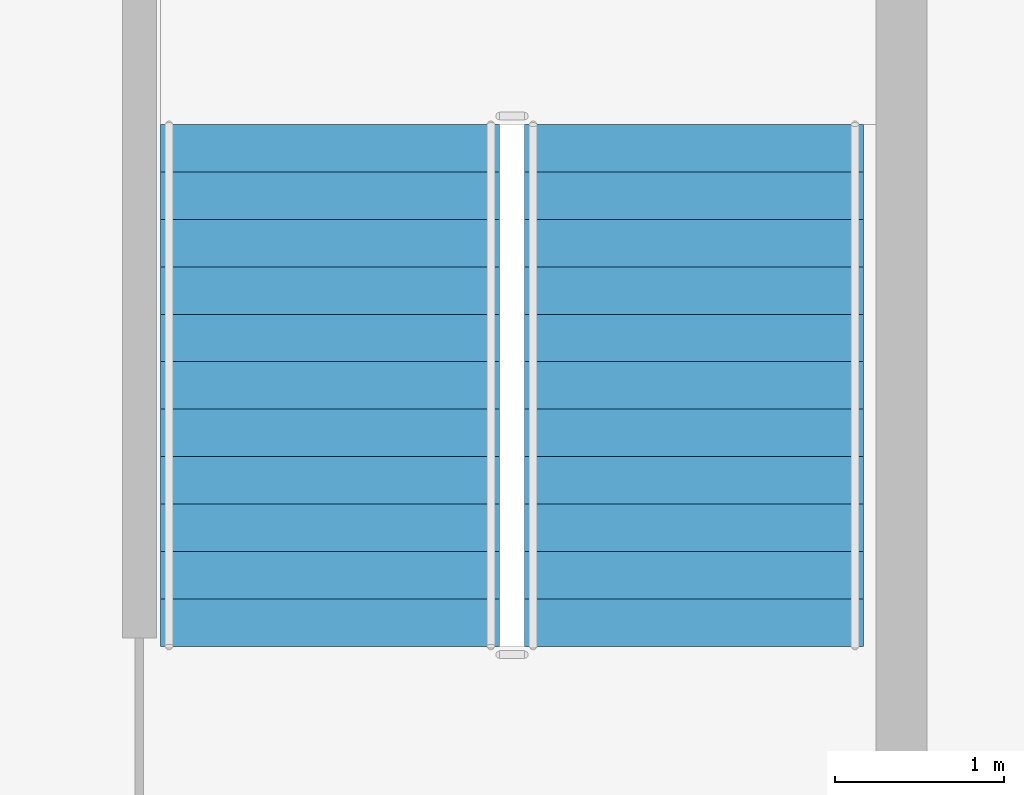
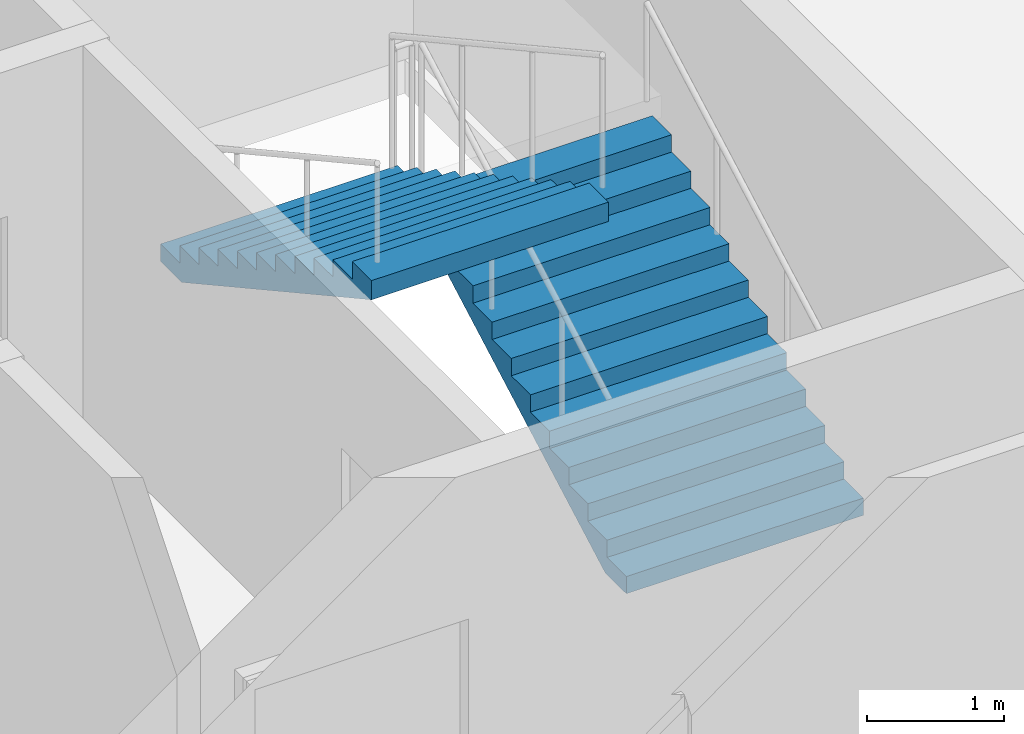
# One storey, part 8 of 11: 2 stair flights, 1 element without a shape of its own.
"""IFC4 building model written with IfcOpenShell, lengths in metres."""

import ifcopenshell
import ifcopenshell.guid

model = None  # the IFC model being written
_history = None  # IfcOwnerHistory: only IFC2X3 demands one
_inside = {}  # id of a spatial element -> (the spatial element, [elements in it])
_under = {}  # id of a project, library or spatial element -> (it, [spatial elements below it])
_declared = {}  # id of a project -> (the project, [libraries it declares])
_typed = {}  # id of a type object -> (the type object, [elements of that type])
_made_of = {}  # id of a material, layer set ... -> (it, [elements and type objects made of it])


def new_model(schema):
    """Start an empty IFC model of exactly this schema.

    Asked for "IFC4X3", IfcOpenShell would pick the latest addendum, in which some entities
    have other attributes; the version numbers below select the first issue.
    IFC2X3 requires an IfcOwnerHistory on every rooted entity: one is made here for all.
    """
    global model, _history
    if schema == "IFC4X3":
        model = ifcopenshell.file(schema_version=(4, 3, 0, 0))
    else:
        model = ifcopenshell.file(schema=schema)
    _inside.clear()
    _under.clear()
    _declared.clear()
    _typed.clear()
    _made_of.clear()
    _history = None
    if model.schema == "IFC2X3":
        org = make("IfcOrganization", Name="unknown")
        user = make(
            "IfcPersonAndOrganization",
            ThePerson=make("IfcPerson", FamilyName="unknown"),
            TheOrganization=org,
        )
        app = make(
            "IfcApplication",
            ApplicationDeveloper=org,
            Version="unknown",
            ApplicationFullName="unknown",
            ApplicationIdentifier="unknown",
        )
        _history = make(
            "IfcOwnerHistory",
            OwningUser=user,
            OwningApplication=app,
            ChangeAction="ADDED",
            CreationDate=0,
        )
    return model


def make(cls, **values):
    """One entity of the class cls with the attributes given. An attribute that is None is left unset."""
    return model.create_entity(
        cls, **{name: value for name, value in values.items() if value is not None}
    )


def rooted(cls, **values):
    """An entity with a GlobalId (a new one), such as an element, a storey or a relation."""
    return make(cls, GlobalId=ifcopenshell.guid.new(), OwnerHistory=_history, **values)


def si_unit(unit_type, name, prefix=None):
    """IfcSIUnit, for example si_unit("LENGTHUNIT", "METRE", prefix="MILLI")."""
    return make("IfcSIUnit", UnitType=unit_type, Prefix=prefix, Name=name)


def assignment(units):
    """IfcUnitAssignment: the units of a project."""
    return None if units is None else make("IfcUnitAssignment", Units=units)


def point(xyz):
    """IfcCartesianPoint."""
    return None if xyz is None else make("IfcCartesianPoint", Coordinates=xyz)


def direction(xyz):
    """IfcDirection."""
    return None if xyz is None else make("IfcDirection", DirectionRatios=xyz)


def frame(location, z_axis=None, x_axis=None):
    """IfcAxis2Placement3D, a coordinate frame: its origin and axes. An axis left out is left unset."""
    return make(
        "IfcAxis2Placement3D",
        Location=point(location),
        Axis=direction(z_axis),
        RefDirection=direction(x_axis),
    )


def origin():
    """The frame at (0, 0, 0) with its axes left unset."""
    return frame((0.0, 0.0, 0.0))


def place(relative_to, where):
    """IfcLocalPlacement: puts the frame where relative to a parent placement (None: the world)."""
    return make(
        "IfcLocalPlacement", PlacementRelTo=relative_to, RelativePlacement=where
    )


def context(
    kind, dimensions, precision=None, world=None, true_north=None, identifier=None
):
    """IfcGeometricRepresentationContext, for example the 3D "Model" context."""
    return make(
        "IfcGeometricRepresentationContext",
        ContextIdentifier=identifier,
        ContextType=kind,
        CoordinateSpaceDimension=dimensions,
        Precision=precision,
        WorldCoordinateSystem=world,
        TrueNorth=true_north,
    )


def subcontext(parent, identifier, kind, view, scale=None):
    """IfcGeometricRepresentationSubContext, for example "Body" below "Model"."""
    return make(
        "IfcGeometricRepresentationSubContext",
        ContextIdentifier=identifier,
        ContextType=kind,
        ParentContext=parent,
        TargetScale=scale,
        TargetView=view,
    )


def project(units=None, contexts=None):
    """IfcProject with its units and contexts."""
    return rooted(
        "IfcProject",
        Name="project",
        RepresentationContexts=contexts,
        UnitsInContext=assignment(units),
    )


def spatial(cls, under=None, at=None, **own):
    """A site, building, storey or space (cls), placed at a placement, below another one or the project."""
    s = rooted(cls, ObjectPlacement=at, **own)
    if under is not None:
        _under.setdefault(under.id(), (under, []))[1].append(s)
    return s


def point_list(points):
    """IfcCartesianPointList2D or 3D."""
    cls = (
        "IfcCartesianPointList2D" if len(points[0]) == 2 else "IfcCartesianPointList3D"
    )
    return make(cls, CoordList=points)


def polygons(points, faces, closed=None, point_numbers=None):
    """IfcPolygonalFaceSet: a face is its outer loop, then its inner loops; points numbered from 1."""
    made = []
    for loops in faces:
        if len(loops) == 1:
            made.append(make("IfcIndexedPolygonalFace", CoordIndex=loops[0]))
        else:
            made.append(
                make(
                    "IfcIndexedPolygonalFaceWithVoids",
                    CoordIndex=loops[0],
                    InnerCoordIndices=loops[1:],
                )
            )
    return make(
        "IfcPolygonalFaceSet",
        Coordinates=point_list(points),
        Closed=closed,
        Faces=made,
        PnIndex=point_numbers,
    )


def shape(context_of_items, identifier, shape_type, items):
    """IfcShapeRepresentation: the items that make up one representation, for example the "Body"."""
    return make(
        "IfcShapeRepresentation",
        ContextOfItems=context_of_items,
        RepresentationIdentifier=identifier,
        RepresentationType=shape_type,
        Items=items,
    )


def material(Name=None, Category=None):
    """IfcMaterial."""
    return make("IfcMaterial", Name=Name, Category=Category)


def made_of(thing, what):
    """Note that an element or type object is made of a material, layer set ...; save() writes the relation."""
    if what is not None:
        _made_of.setdefault(what.id(), (what, []))[1].append(thing)
    return thing


def type_object(cls, material=None, **own):
    """A type object (cls), such as IfcWallType, which elements share."""
    return made_of(rooted(cls, **own), material)


def element(
    cls,
    number,
    at=None,
    inside=None,
    cuts=None,
    type_object=None,
    material=None,
    context=None,
    identifier="Body",
    shape_type=None,
    held_by="IfcProductDefinitionShape",
    body=None,
    shapes=None,
    **own,
):
    """One element of the class cls, such as IfcWall. Its Tag is "e" and its number.

    at: its placement. inside: the storey or other place that contains it. cuts: it is an
    opening in that element (IfcRelVoidsElement). A single representation is given by context,
    identifier, shape_type and body (its items); several are given by shapes. held_by: the class
    of the entity that holds the representations. save() writes the other relations.
    """
    e = rooted(cls, Tag="e%d" % number, ObjectPlacement=at, **own)
    if body is not None:
        shapes = [shape(context, identifier, shape_type, body)]
    if shapes is not None:
        e.Representation = make(held_by, Representations=shapes)
    if inside is not None:
        _inside.setdefault(inside.id(), (inside, []))[1].append(e)
    if cuts is not None:
        rooted(
            "IfcRelVoidsElement", RelatingBuildingElement=cuts, RelatedOpeningElement=e
        )
    if type_object is not None:
        _typed.setdefault(type_object.id(), (type_object, []))[1].append(e)
    return made_of(e, material)


def aggregate(whole, parts):
    """IfcRelAggregates: a whole, such as a stair, and the parts it consists of."""
    return rooted("IfcRelAggregates", RelatingObject=whole, RelatedObjects=parts)


def save(model, path):
    """Write the relations noted so far, then the file.

    IfcRelAggregates (storeys below a building ...), IfcRelContainedInSpatialStructure (elements
    in a storey), IfcRelDefinesByType, IfcRelAssociatesMaterial and IfcRelDeclares: one each for
    every whole, place, type object, material and project.
    """
    for whole, parts in _under.values():
        aggregate(whole, parts)
    for where, things in _inside.values():
        rooted(
            "IfcRelContainedInSpatialStructure",
            RelatedElements=things,
            RelatingStructure=where,
        )
    for kind, things in _typed.values():
        rooted("IfcRelDefinesByType", RelatedObjects=things, RelatingType=kind)
    for what, things in _made_of.values():
        rooted("IfcRelAssociatesMaterial", RelatedObjects=things, RelatingMaterial=what)
    for by, libraries in _declared.values():
        rooted("IfcRelDeclares", RelatingContext=by, RelatedDefinitions=libraries)
    model.write(path)


model = new_model("IFC4")

# Units and contexts
model_context = context("Model", 3, precision=1e-05, world=origin(), true_north=direction((0.0, 1.0)))
body_context = subcontext(model_context, "Body", "Model", "MODEL_VIEW")
ifc_project = project(units=[si_unit("LENGTHUNIT", "METRE"), si_unit("AREAUNIT", "SQUARE_METRE"), si_unit("VOLUMEUNIT", "CUBIC_METRE"), si_unit("PLANEANGLEUNIT", "RADIAN"), si_unit("MASSUNIT", "GRAM", prefix="KILO")], contexts=[model_context])

# Site, building, storey
site_placement = place(None, origin())
site = spatial("IfcSite", under=ifc_project, at=site_placement, CompositionType="ELEMENT")
building_placement = place(site_placement, origin())
building = spatial("IfcBuilding", under=site, at=building_placement, Name="Caravel Reach Hotel and Residences", CompositionType="ELEMENT")
storey_placement = place(building_placement, frame((0.0, 0.0, 249.0)))
storey = spatial("IfcBuildingStorey", under=building, at=storey_placement, Name="L63", CompositionType="ELEMENT", Elevation=249.0)

# Stair, stair flights
ifc_material_1 = material(Name="Concrete C40", Category="concrete")
stair_type = type_object("IfcStairType", Name="Core stair", PredefinedType="HALF_TURN_STAIR", material=ifc_material_1)
stair_placement = place(storey_placement, origin())
stair = element("IfcStair", 1, at=stair_placement, inside=storey, type_object=stair_type, Name="L63 Exit stair B", PredefinedType="HALF_TURN_STAIR")
ifc_material_2 = material(Name="Concrete C40", Category="concrete")
stair_flight_type = type_object("IfcStairFlightType", Name="Core stair flight", PredefinedType="STRAIGHT", material=ifc_material_2)
stair_flight_1_placement = place(storey_placement, frame((43.77490234375, 24.64990234375, 0.0), z_axis=(0.0, 0.0, 1.0), x_axis=(0.0, 1.0, 0.0)))
stair_flight_1 = element("IfcStairFlight", 2, at=stair_flight_1_placement, type_object=stair_flight_type, Name="ST-B flight 1", NumberOfRisers=12, NumberOfTreads=11, PredefinedType="STRAIGHT", RiserHeight=0.154166667, TreadLength=0.28, context=body_context, shape_type="Tessellation", body=[
    polygons([(0.3107950034306102, 1.0, 0.0), (0.3107950034306102, 0.6666666666666667, 0.0), (0.3107950034306102, 0.33333333333333337, 0.0), (0.3107950034306102, 0.0, 0.0), (0.3107950034306102, -0.33333333333333326, 0.0), (0.3107950034306102, -0.6666666666666667, 0.0), (0.3107950034306102, -1.0, 0.0), (3.081, 1.0, 1.524711087717319), (3.081, 0.6666666666666667, 1.524711087717319), (3.081, 0.33333333333333337, 1.524711087717319), (3.081, 0.0, 1.524711087717319), (3.081, -0.33333333333333326, 1.524711087717319), (3.081, -0.6666666666666667, 1.524711087717319), (3.081, -1.0, 1.524711087717319), (3.081, 1.0, 1.695833337), (3.081, 0.6666666666666667, 1.695833337), (3.081, 0.33333333333333337, 1.695833337), (3.081, 0.0, 1.695833337), (3.081, -0.33333333333333326, 1.695833337), (3.081, -0.6666666666666667, 1.695833337), (3.081, -1.0, 1.695833337), (2.8000000000000003, 1.0, 1.695833337), (2.8000000000000003, 0.6666666666666667, 1.695833337), (2.8000000000000003, 0.33333333333333337, 1.695833337), (2.8000000000000003, 0.0, 1.695833337), (2.8000000000000003, -0.33333333333333326, 1.695833337), (2.8000000000000003, -0.6666666666666667, 1.695833337), (2.8000000000000003, -1.0, 1.695833337), (2.8000000000000003, 1.0, 1.5416666700000001), (2.8000000000000003, 0.6666666666666667, 1.5416666700000001), (2.8000000000000003, 0.33333333333333337, 1.5416666700000001), (2.8000000000000003, 0.0, 1.5416666700000001), (2.8000000000000003, -0.33333333333333326, 1.5416666700000001), (2.8000000000000003, -0.6666666666666667, 1.5416666700000001), (2.8000000000000003, -1.0, 1.5416666700000001), (2.5200000000000005, 1.0, 1.5416666700000001), (2.5200000000000005, 0.6666666666666667, 1.5416666700000001), (2.5200000000000005, 0.33333333333333337, 1.5416666700000001), (2.5200000000000005, 0.0, 1.5416666700000001), (2.5200000000000005, -0.33333333333333326, 1.5416666700000001), (2.5200000000000005, -0.6666666666666667, 1.5416666700000001), (2.5200000000000005, -1.0, 1.5416666700000001), (2.5200000000000005, 1.0, 1.387500003), (2.5200000000000005, 0.6666666666666667, 1.387500003), (2.5200000000000005, 0.33333333333333337, 1.387500003), (2.5200000000000005, 0.0, 1.387500003), (2.5200000000000005, -0.33333333333333326, 1.387500003), (2.5200000000000005, -0.6666666666666667, 1.387500003), (2.5200000000000005, -1.0, 1.387500003), (2.24, 1.0, 1.387500003), (2.24, 0.6666666666666667, 1.387500003), (2.24, 0.33333333333333337, 1.387500003), (2.24, 0.0, 1.387500003), (2.24, -0.33333333333333326, 1.387500003), (2.24, -0.6666666666666667, 1.387500003), (2.24, -1.0, 1.387500003), (2.24, 1.0, 1.233333336), (2.24, 0.6666666666666667, 1.233333336), (2.24, 0.33333333333333337, 1.233333336), (2.24, 0.0, 1.233333336), (2.24, -0.33333333333333326, 1.233333336), (2.24, -0.6666666666666667, 1.233333336), (2.24, -1.0, 1.233333336), (1.9600000000000002, 1.0, 1.233333336), (1.9600000000000002, 0.6666666666666667, 1.233333336), (1.9600000000000002, 0.33333333333333337, 1.233333336), (1.9600000000000002, 0.0, 1.233333336), (1.9600000000000002, -0.33333333333333326, 1.233333336), (1.9600000000000002, -0.6666666666666667, 1.233333336), (1.9600000000000002, -1.0, 1.233333336), (1.9600000000000002, 1.0, 1.0791666690000001), (1.9600000000000002, 0.6666666666666667, 1.0791666690000001), (1.9600000000000002, 0.33333333333333337, 1.0791666690000001), (1.9600000000000002, 0.0, 1.0791666690000001), (1.9600000000000002, -0.33333333333333326, 1.0791666690000001), (1.9600000000000002, -0.6666666666666667, 1.0791666690000001), (1.9600000000000002, -1.0, 1.0791666690000001), (1.6800000000000002, 1.0, 1.0791666690000001), (1.6800000000000002, 0.6666666666666667, 1.0791666690000001), (1.6800000000000002, 0.33333333333333337, 1.0791666690000001), (1.6800000000000002, 0.0, 1.0791666690000001), (1.6800000000000002, -0.33333333333333326, 1.0791666690000001), (1.6800000000000002, -0.6666666666666667, 1.0791666690000001), (1.6800000000000002, -1.0, 1.0791666690000001), (1.6800000000000002, 1.0, 0.925000002), (1.6800000000000002, 0.6666666666666667, 0.925000002), (1.6800000000000002, 0.33333333333333337, 0.925000002), (1.6800000000000002, 0.0, 0.925000002), (1.6800000000000002, -0.33333333333333326, 0.925000002), (1.6800000000000002, -0.6666666666666667, 0.925000002), (1.6800000000000002, -1.0, 0.925000002), (1.4000000000000001, 1.0, 0.925000002), (1.4000000000000001, 0.6666666666666667, 0.925000002), (1.4000000000000001, 0.33333333333333337, 0.925000002), (1.4000000000000001, 0.0, 0.925000002), (1.4000000000000001, -0.33333333333333326, 0.925000002), (1.4000000000000001, -0.6666666666666667, 0.925000002), (1.4000000000000001, -1.0, 0.925000002), (1.4000000000000001, 1.0, 0.7708333350000001), (1.4000000000000001, 0.6666666666666667, 0.7708333350000001), (1.4000000000000001, 0.33333333333333337, 0.7708333350000001), (1.4000000000000001, 0.0, 0.7708333350000001), (1.4000000000000001, -0.33333333333333326, 0.7708333350000001), (1.4000000000000001, -0.6666666666666667, 0.7708333350000001), (1.4000000000000001, -1.0, 0.7708333350000001), (1.12, 1.0, 0.7708333350000001), (1.12, 0.6666666666666667, 0.7708333350000001), (1.12, 0.33333333333333337, 0.7708333350000001), (1.12, 0.0, 0.7708333350000001), (1.12, -0.33333333333333326, 0.7708333350000001), (1.12, -0.6666666666666667, 0.7708333350000001), (1.12, -1.0, 0.7708333350000001), (1.12, 1.0, 0.616666668), (1.12, 0.6666666666666667, 0.616666668), (1.12, 0.33333333333333337, 0.616666668), (1.12, 0.0, 0.616666668), (1.12, -0.33333333333333326, 0.616666668), (1.12, -0.6666666666666667, 0.616666668), (1.12, -1.0, 0.616666668), (0.8400000000000001, 1.0, 0.616666668), (0.8400000000000001, 0.6666666666666667, 0.616666668), (0.8400000000000001, 0.33333333333333337, 0.616666668), (0.8400000000000001, 0.0, 0.616666668), (0.8400000000000001, -0.33333333333333326, 0.616666668), (0.8400000000000001, -0.6666666666666667, 0.616666668), (0.8400000000000001, -1.0, 0.616666668), (0.8400000000000001, 1.0, 0.462500001), (0.8400000000000001, 0.6666666666666667, 0.462500001), (0.8400000000000001, 0.33333333333333337, 0.462500001), (0.8400000000000001, 0.0, 0.462500001), (0.8400000000000001, -0.33333333333333326, 0.462500001), (0.8400000000000001, -0.6666666666666667, 0.462500001), (0.8400000000000001, -1.0, 0.462500001), (0.56, 1.0, 0.462500001), (0.56, 0.6666666666666667, 0.462500001), (0.56, 0.33333333333333337, 0.462500001), (0.56, 0.0, 0.462500001), (0.56, -0.33333333333333326, 0.462500001), (0.56, -0.6666666666666667, 0.462500001), (0.56, -1.0, 0.462500001), (0.56, 1.0, 0.308333334), (0.56, 0.6666666666666667, 0.308333334), (0.56, 0.33333333333333337, 0.308333334), (0.56, 0.0, 0.308333334), (0.56, -0.33333333333333326, 0.308333334), (0.56, -0.6666666666666667, 0.308333334), (0.56, -1.0, 0.308333334), (0.28, 1.0, 0.308333334), (0.28, 0.6666666666666667, 0.308333334), (0.28, 0.33333333333333337, 0.308333334), (0.28, 0.0, 0.308333334), (0.28, -0.33333333333333326, 0.308333334), (0.28, -0.6666666666666667, 0.308333334), (0.28, -1.0, 0.308333334), (0.28, 1.0, 0.154166667), (0.28, 0.6666666666666667, 0.154166667), (0.28, 0.33333333333333337, 0.154166667), (0.28, 0.0, 0.154166667), (0.28, -0.33333333333333326, 0.154166667), (0.28, -0.6666666666666667, 0.154166667), (0.28, -1.0, 0.154166667), (-0.001, 1.0, 0.154166667), (-0.001, 0.6666666666666667, 0.154166667), (-0.001, 0.33333333333333337, 0.154166667), (-0.001, 0.0, 0.154166667), (-0.001, -0.33333333333333326, 0.154166667), (-0.001, -0.6666666666666667, 0.154166667), (-0.001, -1.0, 0.154166667), (-0.001, 1.0, 0.0), (-0.001, 0.6666666666666667, 0.0), (-0.001, 0.33333333333333337, 0.0), (-0.001, 0.0, 0.0), (-0.001, -0.33333333333333326, 0.0), (-0.001, -0.6666666666666667, 0.0), (-0.001, -1.0, 0.0)], [[[169, 162, 155, 148, 141, 134, 127, 120, 113, 106, 99, 92, 85, 78, 71, 64, 57, 50, 43, 36, 29, 22, 15, 8, 1]], [[7, 14, 21, 28, 35, 42, 49, 56, 63, 70, 77, 84, 91, 98, 105, 112, 119, 126, 133, 140, 147, 154, 161, 168, 175]], [[1, 8, 9, 2]], [[2, 9, 10, 3]], [[3, 10, 11, 4]], [[4, 11, 12, 5]], [[5, 12, 13, 6]], [[6, 13, 14, 7]], [[8, 15, 16, 9]], [[9, 16, 17, 10]], [[10, 17, 18, 11]], [[11, 18, 19, 12]], [[12, 19, 20, 13]], [[13, 20, 21, 14]], [[15, 22, 23, 16]], [[16, 23, 24, 17]], [[17, 24, 25, 18]], [[18, 25, 26, 19]], [[19, 26, 27, 20]], [[20, 27, 28, 21]], [[22, 29, 30, 23]], [[23, 30, 31, 24]], [[24, 31, 32, 25]], [[25, 32, 33, 26]], [[26, 33, 34, 27]], [[27, 34, 35, 28]], [[29, 36, 37, 30]], [[30, 37, 38, 31]], [[31, 38, 39, 32]], [[32, 39, 40, 33]], [[33, 40, 41, 34]], [[34, 41, 42, 35]], [[36, 43, 44, 37]], [[37, 44, 45, 38]], [[38, 45, 46, 39]], [[39, 46, 47, 40]], [[40, 47, 48, 41]], [[41, 48, 49, 42]], [[43, 50, 51, 44]], [[44, 51, 52, 45]], [[45, 52, 53, 46]], [[46, 53, 54, 47]], [[47, 54, 55, 48]], [[48, 55, 56, 49]], [[50, 57, 58, 51]], [[51, 58, 59, 52]], [[52, 59, 60, 53]], [[53, 60, 61, 54]], [[54, 61, 62, 55]], [[55, 62, 63, 56]], [[57, 64, 65, 58]], [[58, 65, 66, 59]], [[59, 66, 67, 60]], [[60, 67, 68, 61]], [[61, 68, 69, 62]], [[62, 69, 70, 63]], [[64, 71, 72, 65]], [[65, 72, 73, 66]], [[66, 73, 74, 67]], [[67, 74, 75, 68]], [[68, 75, 76, 69]], [[69, 76, 77, 70]], [[71, 78, 79, 72]], [[72, 79, 80, 73]], [[73, 80, 81, 74]], [[74, 81, 82, 75]], [[75, 82, 83, 76]], [[76, 83, 84, 77]], [[78, 85, 86, 79]], [[79, 86, 87, 80]], [[80, 87, 88, 81]], [[81, 88, 89, 82]], [[82, 89, 90, 83]], [[83, 90, 91, 84]], [[85, 92, 93, 86]], [[86, 93, 94, 87]], [[87, 94, 95, 88]], [[88, 95, 96, 89]], [[89, 96, 97, 90]], [[90, 97, 98, 91]], [[92, 99, 100, 93]], [[93, 100, 101, 94]], [[94, 101, 102, 95]], [[95, 102, 103, 96]], [[96, 103, 104, 97]], [[97, 104, 105, 98]], [[99, 106, 107, 100]], [[100, 107, 108, 101]], [[101, 108, 109, 102]], [[102, 109, 110, 103]], [[103, 110, 111, 104]], [[104, 111, 112, 105]], [[106, 113, 114, 107]], [[107, 114, 115, 108]], [[108, 115, 116, 109]], [[109, 116, 117, 110]], [[110, 117, 118, 111]], [[111, 118, 119, 112]], [[113, 120, 121, 114]], [[114, 121, 122, 115]], [[115, 122, 123, 116]], [[116, 123, 124, 117]], [[117, 124, 125, 118]], [[118, 125, 126, 119]], [[120, 127, 128, 121]], [[121, 128, 129, 122]], [[122, 129, 130, 123]], [[123, 130, 131, 124]], [[124, 131, 132, 125]], [[125, 132, 133, 126]], [[127, 134, 135, 128]], [[128, 135, 136, 129]], [[129, 136, 137, 130]], [[130, 137, 138, 131]], [[131, 138, 139, 132]], [[132, 139, 140, 133]], [[134, 141, 142, 135]], [[135, 142, 143, 136]], [[136, 143, 144, 137]], [[137, 144, 145, 138]], [[138, 145, 146, 139]], [[139, 146, 147, 140]], [[141, 148, 149, 142]], [[142, 149, 150, 143]], [[143, 150, 151, 144]], [[144, 151, 152, 145]], [[145, 152, 153, 146]], [[146, 153, 154, 147]], [[148, 155, 156, 149]], [[149, 156, 157, 150]], [[150, 157, 158, 151]], [[151, 158, 159, 152]], [[152, 159, 160, 153]], [[153, 160, 161, 154]], [[155, 162, 163, 156]], [[156, 163, 164, 157]], [[157, 164, 165, 158]], [[158, 165, 166, 159]], [[159, 166, 167, 160]], [[160, 167, 168, 161]], [[162, 169, 170, 163]], [[163, 170, 171, 164]], [[164, 171, 172, 165]], [[165, 172, 173, 166]], [[166, 173, 174, 167]], [[167, 174, 175, 168]], [[169, 1, 2, 170]], [[170, 2, 3, 171]], [[171, 3, 4, 172]], [[172, 4, 5, 173]], [[173, 5, 6, 174]], [[174, 6, 7, 175]]], closed=True),
])
stair_flight_2_placement = place(storey_placement, frame((41.625, 27.72998046875, 1.85009765625), z_axis=(0.0, 0.0, 1.0), x_axis=(0.0, -1.0, 0.0)))
stair_flight_2 = element("IfcStairFlight", 3, at=stair_flight_2_placement, type_object=stair_flight_type, Name="ST-B flight 2", NumberOfRisers=12, NumberOfTreads=11, PredefinedType="STRAIGHT", RiserHeight=0.154166667, TreadLength=0.28, context=body_context, shape_type="Tessellation", body=[
    polygons([(0.3107950034306102, 1.0, 0.0), (0.3107950034306102, 0.6666666666666667, 0.0), (0.3107950034306102, 0.33333333333333337, 0.0), (0.3107950034306102, 0.0, 0.0), (0.3107950034306102, -0.33333333333333326, 0.0), (0.3107950034306102, -0.6666666666666667, 0.0), (0.3107950034306102, -1.0, 0.0), (3.081, 1.0, 1.524711087717319), (3.081, 0.6666666666666667, 1.524711087717319), (3.081, 0.33333333333333337, 1.524711087717319), (3.081, 0.0, 1.524711087717319), (3.081, -0.33333333333333326, 1.524711087717319), (3.081, -0.6666666666666667, 1.524711087717319), (3.081, -1.0, 1.524711087717319), (3.081, 1.0, 1.695833337), (3.081, 0.6666666666666667, 1.695833337), (3.081, 0.33333333333333337, 1.695833337), (3.081, 0.0, 1.695833337), (3.081, -0.33333333333333326, 1.695833337), (3.081, -0.6666666666666667, 1.695833337), (3.081, -1.0, 1.695833337), (2.8000000000000003, 1.0, 1.695833337), (2.8000000000000003, 0.6666666666666667, 1.695833337), (2.8000000000000003, 0.33333333333333337, 1.695833337), (2.8000000000000003, 0.0, 1.695833337), (2.8000000000000003, -0.33333333333333326, 1.695833337), (2.8000000000000003, -0.6666666666666667, 1.695833337), (2.8000000000000003, -1.0, 1.695833337), (2.8000000000000003, 1.0, 1.5416666700000001), (2.8000000000000003, 0.6666666666666667, 1.5416666700000001), (2.8000000000000003, 0.33333333333333337, 1.5416666700000001), (2.8000000000000003, 0.0, 1.5416666700000001), (2.8000000000000003, -0.33333333333333326, 1.5416666700000001), (2.8000000000000003, -0.6666666666666667, 1.5416666700000001), (2.8000000000000003, -1.0, 1.5416666700000001), (2.5200000000000005, 1.0, 1.5416666700000001), (2.5200000000000005, 0.6666666666666667, 1.5416666700000001), (2.5200000000000005, 0.33333333333333337, 1.5416666700000001), (2.5200000000000005, 0.0, 1.5416666700000001), (2.5200000000000005, -0.33333333333333326, 1.5416666700000001), (2.5200000000000005, -0.6666666666666667, 1.5416666700000001), (2.5200000000000005, -1.0, 1.5416666700000001), (2.5200000000000005, 1.0, 1.387500003), (2.5200000000000005, 0.6666666666666667, 1.387500003), (2.5200000000000005, 0.33333333333333337, 1.387500003), (2.5200000000000005, 0.0, 1.387500003), (2.5200000000000005, -0.33333333333333326, 1.387500003), (2.5200000000000005, -0.6666666666666667, 1.387500003), (2.5200000000000005, -1.0, 1.387500003), (2.24, 1.0, 1.387500003), (2.24, 0.6666666666666667, 1.387500003), (2.24, 0.33333333333333337, 1.387500003), (2.24, 0.0, 1.387500003), (2.24, -0.33333333333333326, 1.387500003), (2.24, -0.6666666666666667, 1.387500003), (2.24, -1.0, 1.387500003), (2.24, 1.0, 1.233333336), (2.24, 0.6666666666666667, 1.233333336), (2.24, 0.33333333333333337, 1.233333336), (2.24, 0.0, 1.233333336), (2.24, -0.33333333333333326, 1.233333336), (2.24, -0.6666666666666667, 1.233333336), (2.24, -1.0, 1.233333336), (1.9600000000000002, 1.0, 1.233333336), (1.9600000000000002, 0.6666666666666667, 1.233333336), (1.9600000000000002, 0.33333333333333337, 1.233333336), (1.9600000000000002, 0.0, 1.233333336), (1.9600000000000002, -0.33333333333333326, 1.233333336), (1.9600000000000002, -0.6666666666666667, 1.233333336), (1.9600000000000002, -1.0, 1.233333336), (1.9600000000000002, 1.0, 1.0791666690000001), (1.9600000000000002, 0.6666666666666667, 1.0791666690000001), (1.9600000000000002, 0.33333333333333337, 1.0791666690000001), (1.9600000000000002, 0.0, 1.0791666690000001), (1.9600000000000002, -0.33333333333333326, 1.0791666690000001), (1.9600000000000002, -0.6666666666666667, 1.0791666690000001), (1.9600000000000002, -1.0, 1.0791666690000001), (1.6800000000000002, 1.0, 1.0791666690000001), (1.6800000000000002, 0.6666666666666667, 1.0791666690000001), (1.6800000000000002, 0.33333333333333337, 1.0791666690000001), (1.6800000000000002, 0.0, 1.0791666690000001), (1.6800000000000002, -0.33333333333333326, 1.0791666690000001), (1.6800000000000002, -0.6666666666666667, 1.0791666690000001), (1.6800000000000002, -1.0, 1.0791666690000001), (1.6800000000000002, 1.0, 0.925000002), (1.6800000000000002, 0.6666666666666667, 0.925000002), (1.6800000000000002, 0.33333333333333337, 0.925000002), (1.6800000000000002, 0.0, 0.925000002), (1.6800000000000002, -0.33333333333333326, 0.925000002), (1.6800000000000002, -0.6666666666666667, 0.925000002), (1.6800000000000002, -1.0, 0.925000002), (1.4000000000000001, 1.0, 0.925000002), (1.4000000000000001, 0.6666666666666667, 0.925000002), (1.4000000000000001, 0.33333333333333337, 0.925000002), (1.4000000000000001, 0.0, 0.925000002), (1.4000000000000001, -0.33333333333333326, 0.925000002), (1.4000000000000001, -0.6666666666666667, 0.925000002), (1.4000000000000001, -1.0, 0.925000002), (1.4000000000000001, 1.0, 0.7708333350000001), (1.4000000000000001, 0.6666666666666667, 0.7708333350000001), (1.4000000000000001, 0.33333333333333337, 0.7708333350000001), (1.4000000000000001, 0.0, 0.7708333350000001), (1.4000000000000001, -0.33333333333333326, 0.7708333350000001), (1.4000000000000001, -0.6666666666666667, 0.7708333350000001), (1.4000000000000001, -1.0, 0.7708333350000001), (1.12, 1.0, 0.7708333350000001), (1.12, 0.6666666666666667, 0.7708333350000001), (1.12, 0.33333333333333337, 0.7708333350000001), (1.12, 0.0, 0.7708333350000001), (1.12, -0.33333333333333326, 0.7708333350000001), (1.12, -0.6666666666666667, 0.7708333350000001), (1.12, -1.0, 0.7708333350000001), (1.12, 1.0, 0.616666668), (1.12, 0.6666666666666667, 0.616666668), (1.12, 0.33333333333333337, 0.616666668), (1.12, 0.0, 0.616666668), (1.12, -0.33333333333333326, 0.616666668), (1.12, -0.6666666666666667, 0.616666668), (1.12, -1.0, 0.616666668), (0.8400000000000001, 1.0, 0.616666668), (0.8400000000000001, 0.6666666666666667, 0.616666668), (0.8400000000000001, 0.33333333333333337, 0.616666668), (0.8400000000000001, 0.0, 0.616666668), (0.8400000000000001, -0.33333333333333326, 0.616666668), (0.8400000000000001, -0.6666666666666667, 0.616666668), (0.8400000000000001, -1.0, 0.616666668), (0.8400000000000001, 1.0, 0.462500001), (0.8400000000000001, 0.6666666666666667, 0.462500001), (0.8400000000000001, 0.33333333333333337, 0.462500001), (0.8400000000000001, 0.0, 0.462500001), (0.8400000000000001, -0.33333333333333326, 0.462500001), (0.8400000000000001, -0.6666666666666667, 0.462500001), (0.8400000000000001, -1.0, 0.462500001), (0.56, 1.0, 0.462500001), (0.56, 0.6666666666666667, 0.462500001), (0.56, 0.33333333333333337, 0.462500001), (0.56, 0.0, 0.462500001), (0.56, -0.33333333333333326, 0.462500001), (0.56, -0.6666666666666667, 0.462500001), (0.56, -1.0, 0.462500001), (0.56, 1.0, 0.308333334), (0.56, 0.6666666666666667, 0.308333334), (0.56, 0.33333333333333337, 0.308333334), (0.56, 0.0, 0.308333334), (0.56, -0.33333333333333326, 0.308333334), (0.56, -0.6666666666666667, 0.308333334), (0.56, -1.0, 0.308333334), (0.28, 1.0, 0.308333334), (0.28, 0.6666666666666667, 0.308333334), (0.28, 0.33333333333333337, 0.308333334), (0.28, 0.0, 0.308333334), (0.28, -0.33333333333333326, 0.308333334), (0.28, -0.6666666666666667, 0.308333334), (0.28, -1.0, 0.308333334), (0.28, 1.0, 0.154166667), (0.28, 0.6666666666666667, 0.154166667), (0.28, 0.33333333333333337, 0.154166667), (0.28, 0.0, 0.154166667), (0.28, -0.33333333333333326, 0.154166667), (0.28, -0.6666666666666667, 0.154166667), (0.28, -1.0, 0.154166667), (-0.001, 1.0, 0.154166667), (-0.001, 0.6666666666666667, 0.154166667), (-0.001, 0.33333333333333337, 0.154166667), (-0.001, 0.0, 0.154166667), (-0.001, -0.33333333333333326, 0.154166667), (-0.001, -0.6666666666666667, 0.154166667), (-0.001, -1.0, 0.154166667), (-0.001, 1.0, 0.0), (-0.001, 0.6666666666666667, 0.0), (-0.001, 0.33333333333333337, 0.0), (-0.001, 0.0, 0.0), (-0.001, -0.33333333333333326, 0.0), (-0.001, -0.6666666666666667, 0.0), (-0.001, -1.0, 0.0)], [[[169, 162, 155, 148, 141, 134, 127, 120, 113, 106, 99, 92, 85, 78, 71, 64, 57, 50, 43, 36, 29, 22, 15, 8, 1]], [[7, 14, 21, 28, 35, 42, 49, 56, 63, 70, 77, 84, 91, 98, 105, 112, 119, 126, 133, 140, 147, 154, 161, 168, 175]], [[1, 8, 9, 2]], [[2, 9, 10, 3]], [[3, 10, 11, 4]], [[4, 11, 12, 5]], [[5, 12, 13, 6]], [[6, 13, 14, 7]], [[8, 15, 16, 9]], [[9, 16, 17, 10]], [[10, 17, 18, 11]], [[11, 18, 19, 12]], [[12, 19, 20, 13]], [[13, 20, 21, 14]], [[15, 22, 23, 16]], [[16, 23, 24, 17]], [[17, 24, 25, 18]], [[18, 25, 26, 19]], [[19, 26, 27, 20]], [[20, 27, 28, 21]], [[22, 29, 30, 23]], [[23, 30, 31, 24]], [[24, 31, 32, 25]], [[25, 32, 33, 26]], [[26, 33, 34, 27]], [[27, 34, 35, 28]], [[29, 36, 37, 30]], [[30, 37, 38, 31]], [[31, 38, 39, 32]], [[32, 39, 40, 33]], [[33, 40, 41, 34]], [[34, 41, 42, 35]], [[36, 43, 44, 37]], [[37, 44, 45, 38]], [[38, 45, 46, 39]], [[39, 46, 47, 40]], [[40, 47, 48, 41]], [[41, 48, 49, 42]], [[43, 50, 51, 44]], [[44, 51, 52, 45]], [[45, 52, 53, 46]], [[46, 53, 54, 47]], [[47, 54, 55, 48]], [[48, 55, 56, 49]], [[50, 57, 58, 51]], [[51, 58, 59, 52]], [[52, 59, 60, 53]], [[53, 60, 61, 54]], [[54, 61, 62, 55]], [[55, 62, 63, 56]], [[57, 64, 65, 58]], [[58, 65, 66, 59]], [[59, 66, 67, 60]], [[60, 67, 68, 61]], [[61, 68, 69, 62]], [[62, 69, 70, 63]], [[64, 71, 72, 65]], [[65, 72, 73, 66]], [[66, 73, 74, 67]], [[67, 74, 75, 68]], [[68, 75, 76, 69]], [[69, 76, 77, 70]], [[71, 78, 79, 72]], [[72, 79, 80, 73]], [[73, 80, 81, 74]], [[74, 81, 82, 75]], [[75, 82, 83, 76]], [[76, 83, 84, 77]], [[78, 85, 86, 79]], [[79, 86, 87, 80]], [[80, 87, 88, 81]], [[81, 88, 89, 82]], [[82, 89, 90, 83]], [[83, 90, 91, 84]], [[85, 92, 93, 86]], [[86, 93, 94, 87]], [[87, 94, 95, 88]], [[88, 95, 96, 89]], [[89, 96, 97, 90]], [[90, 97, 98, 91]], [[92, 99, 100, 93]], [[93, 100, 101, 94]], [[94, 101, 102, 95]], [[95, 102, 103, 96]], [[96, 103, 104, 97]], [[97, 104, 105, 98]], [[99, 106, 107, 100]], [[100, 107, 108, 101]], [[101, 108, 109, 102]], [[102, 109, 110, 103]], [[103, 110, 111, 104]], [[104, 111, 112, 105]], [[106, 113, 114, 107]], [[107, 114, 115, 108]], [[108, 115, 116, 109]], [[109, 116, 117, 110]], [[110, 117, 118, 111]], [[111, 118, 119, 112]], [[113, 120, 121, 114]], [[114, 121, 122, 115]], [[115, 122, 123, 116]], [[116, 123, 124, 117]], [[117, 124, 125, 118]], [[118, 125, 126, 119]], [[120, 127, 128, 121]], [[121, 128, 129, 122]], [[122, 129, 130, 123]], [[123, 130, 131, 124]], [[124, 131, 132, 125]], [[125, 132, 133, 126]], [[127, 134, 135, 128]], [[128, 135, 136, 129]], [[129, 136, 137, 130]], [[130, 137, 138, 131]], [[131, 138, 139, 132]], [[132, 139, 140, 133]], [[134, 141, 142, 135]], [[135, 142, 143, 136]], [[136, 143, 144, 137]], [[137, 144, 145, 138]], [[138, 145, 146, 139]], [[139, 146, 147, 140]], [[141, 148, 149, 142]], [[142, 149, 150, 143]], [[143, 150, 151, 144]], [[144, 151, 152, 145]], [[145, 152, 153, 146]], [[146, 153, 154, 147]], [[148, 155, 156, 149]], [[149, 156, 157, 150]], [[150, 157, 158, 151]], [[151, 158, 159, 152]], [[152, 159, 160, 153]], [[153, 160, 161, 154]], [[155, 162, 163, 156]], [[156, 163, 164, 157]], [[157, 164, 165, 158]], [[158, 165, 166, 159]], [[159, 166, 167, 160]], [[160, 167, 168, 161]], [[162, 169, 170, 163]], [[163, 170, 171, 164]], [[164, 171, 172, 165]], [[165, 172, 173, 166]], [[166, 173, 174, 167]], [[167, 174, 175, 168]], [[169, 1, 2, 170]], [[170, 2, 3, 171]], [[171, 3, 4, 172]], [[172, 4, 5, 173]], [[173, 5, 6, 174]], [[174, 6, 7, 175]]], closed=True),
])
aggregate(stair, [stair_flight_1, stair_flight_2])

save(model, "model.ifc")
